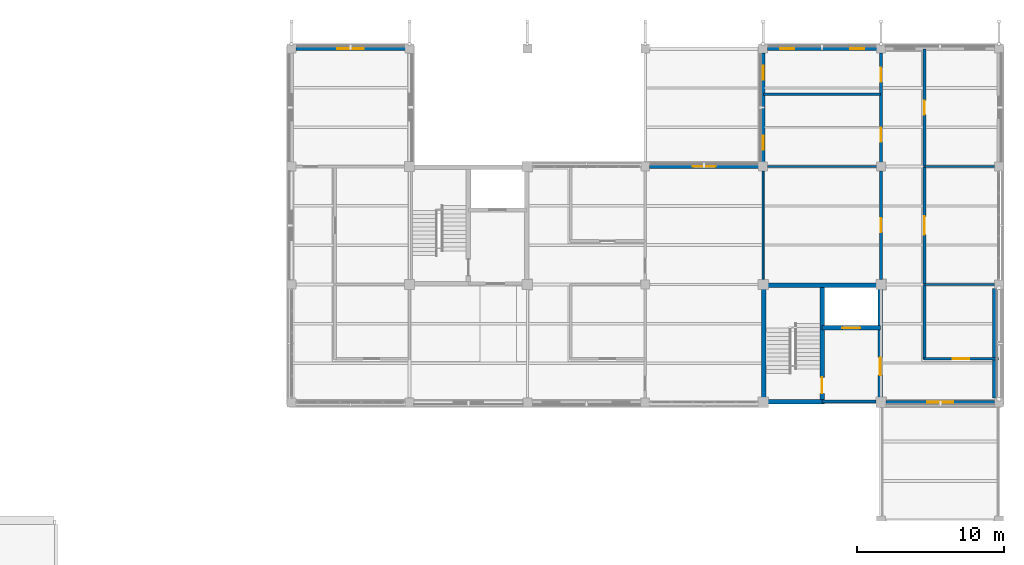
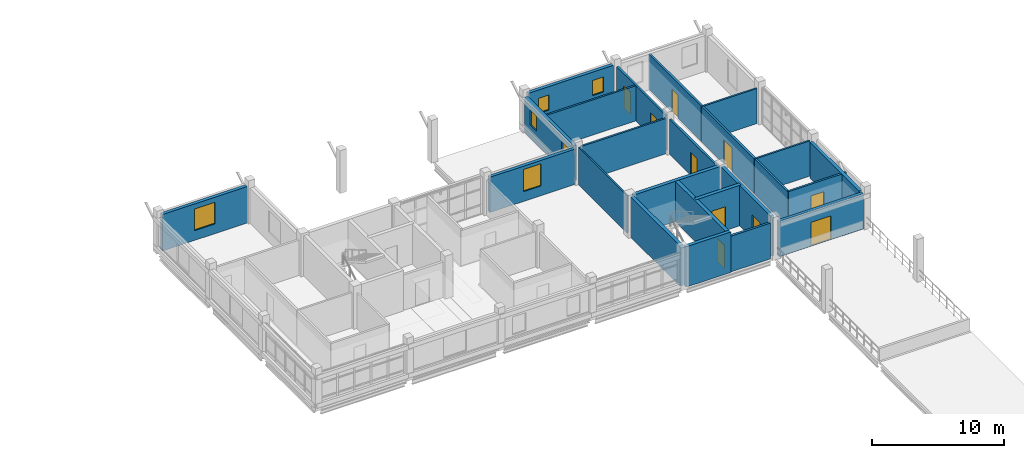
# One storey, part 27 of 35: 24 walls, 10 doors, 6 windows, 16 openings.
"""IFC4 building model written with IfcOpenShell, lengths in metres."""

from ifc_helpers import new_model, si_unit, derived_unit, direction, frame, frame_2d, origin, place, context, subcontext, project, spatial, rectangle, extrude, material, layer, layer_set, type_object, element, fill, save


model = new_model("IFC4")

# Units and contexts
model_context = context("Model", 3, precision=1e-05, world=origin(), true_north=direction((0.0, 1.0)))
body_context = subcontext(model_context, "Body", "Model", "MODEL_VIEW")
ifc_project = project(units=[si_unit("LENGTHUNIT", "METRE"), si_unit("AREAUNIT", "SQUARE_METRE"), si_unit("VOLUMEUNIT", "CUBIC_METRE"), si_unit("PLANEANGLEUNIT", "RADIAN"), si_unit("MASSUNIT", "GRAM", prefix="KILO"), derived_unit("THERMALTRANSMITTANCEUNIT", [(si_unit("MASSUNIT", "GRAM", prefix="KILO"), 1), (si_unit("TIMEUNIT", "SECOND"), -3), (si_unit("THERMODYNAMICTEMPERATUREUNIT", "KELVIN"), -1)])], contexts=[model_context])

# Site, building, storey
site_placement = place(None, origin())
site = spatial("IfcSite", under=ifc_project, at=site_placement, CompositionType="ELEMENT")
building_placement = place(site_placement, origin())
building = spatial("IfcBuilding", under=site, at=building_placement, Name="Veyamyaing Civic Hall", CompositionType="ELEMENT")
storey_placement = place(building_placement, frame((0.0, 0.0, 21.780029296875)))
storey = spatial("IfcBuildingStorey", under=building, at=storey_placement, Name="L05", CompositionType="ELEMENT", Elevation=21.780029296875)

# Wall, opening, window
ifc_material_1 = material(Name="Precast concrete C40/50", Category="concrete")
ifc_layer_1 = layer(ifc_material_1, 0.280029296875, Name="Precast concrete C40/50")
ifc_layer_set_1 = layer_set([ifc_layer_1], Name="Precast concrete C40/50")
wall_type_1 = type_object("IfcWallType", Name="WT-04", PredefinedType="SOLIDWALL", material=ifc_layer_set_1)
wall_1_placement = place(storey_placement, frame((128.284912109375, 112.0, 0.0), z_axis=(0.0, 0.0, 1.0), x_axis=(1.0, 0.0, 0.0)))
wall_1 = element("IfcWall", 1, at=wall_1_placement, inside=storey, type_object=wall_type_1, Name="Exterior facade wall WT-04 L05 N 17.14", PredefinedType="SOLIDWALL", context=body_context, shape_type="SweptSolid", body=[
    extrude(rectangle(XDim=7.43017578125, YDim=0.280029296875, at=frame_2d((3.715087890625, 0.0))), origin(), (0.0, 0.0, 1.0), 3.3720703125),
])
opening_1_placement = place(wall_1_placement, frame((2.81494140625, 0.0, 0.89990234375)))
opening_1 = element("IfcOpeningElement", 2, at=opening_1_placement, cuts=wall_1, Name="Opening W-10", PredefinedType="OPENING", context=body_context, shape_type="SweptSolid", body=[
    extrude(rectangle(XDim=1.800048828125, YDim=2.0, at=frame_2d((0.89990234375, 1.0))), frame((0.0, 0.14990234375, 0.0), z_axis=(0.0, -1.0, 0.0), x_axis=(1.0, 0.0, 0.0)), (0.0, 0.0, 1.0), 0.300048828125),
])
ifc_material_2 = material(Name="Low-E insulated glass", Category="glass")
window_type_1 = type_object("IfcWindowType", Name="W-10", PartitioningType="SINGLE_PANEL", PredefinedType="WINDOW", material=ifc_material_2)
window_1_placement = place(opening_1_placement, origin())
window_1 = element("IfcWindow", 3, at=window_1_placement, inside=storey, type_object=window_type_1, Name="Facade window W-10 L05 N 17.14", OverallHeight=2.0, OverallWidth=1.800048828125, PartitioningType="SINGLE_PANEL", PredefinedType="WINDOW", context=body_context, shape_type="SweptSolid", body=[
    extrude(rectangle(XDim=1.800048828125, YDim=2.0, at=frame_2d((0.89990234375, 1.0))), frame((0.0, 0.030029296875, 0.0), z_axis=(0.0, -1.0, 0.0), x_axis=(1.0, 0.0, 0.0)), (0.0, 0.0, 1.0), 0.06005859375),
])
fill(opening_1, window_1)

wall_2_placement = place(storey_placement, frame((152.284912109375, 104.0, 0.0), z_axis=(0.0, 0.0, 1.0), x_axis=(1.0, 0.0, 0.0)))
wall_2 = element("IfcWall", 4, at=wall_2_placement, inside=storey, type_object=wall_type_1, Name="Exterior facade wall WT-04 L05 N 20.13", PredefinedType="SOLIDWALL", context=body_context, shape_type="SweptSolid", body=[
    extrude(rectangle(XDim=7.43017578125, YDim=0.280029296875, at=frame_2d((3.715087890625, 0.0))), origin(), (0.0, 0.0, 1.0), 3.263916015625),
])
opening_2_placement = place(wall_2_placement, frame((2.93994140625, 0.0, 0.89990234375)))
opening_2 = element("IfcOpeningElement", 5, at=opening_2_placement, cuts=wall_2, Name="Opening W-30", PredefinedType="OPENING", context=body_context, shape_type="SweptSolid", body=[
    extrude(rectangle(XDim=1.550048828125, YDim=2.050048828125, at=frame_2d((0.77490234375, 1.02490234375))), frame((0.0, 0.14990234375, 0.0), z_axis=(0.0, -1.0, 0.0), x_axis=(1.0, 0.0, 0.0)), (0.0, 0.0, 1.0), 0.300048828125),
])
window_type_2 = type_object("IfcWindowType", Name="W-30", PartitioningType="SINGLE_PANEL", PredefinedType="WINDOW", material=ifc_material_2)
window_2_placement = place(opening_2_placement, origin())
window_2 = element("IfcWindow", 6, at=window_2_placement, inside=storey, type_object=window_type_2, Name="Facade window W-30 L05 N 20.13", OverallHeight=2.050048828125, OverallWidth=1.550048828125, PartitioningType="SINGLE_PANEL", PredefinedType="WINDOW", context=body_context, shape_type="SweptSolid", body=[
    extrude(rectangle(XDim=1.550048828125, YDim=2.050048828125, at=frame_2d((0.77490234375, 1.02490234375))), frame((0.0, 0.030029296875, 0.0), z_axis=(0.0, -1.0, 0.0), x_axis=(1.0, 0.0, 0.0)), (0.0, 0.0, 1.0), 0.06005859375),
])
fill(opening_2, window_2)

# Wall, openings, windows
wall_3_placement = place(storey_placement, frame((160.284912109375, 112.0, 0.0), z_axis=(0.0, 0.0, 1.0), x_axis=(1.0, 0.0, 0.0)))
wall_3 = element("IfcWall", 7, at=wall_3_placement, inside=storey, type_object=wall_type_1, Name="Exterior facade wall WT-04 L05 N 21.14", PredefinedType="SOLIDWALL", context=body_context, shape_type="SweptSolid", body=[
    extrude(rectangle(XDim=7.43017578125, YDim=0.280029296875, at=frame_2d((3.715087890625, 0.0))), origin(), (0.0, 0.0, 1.0), 3.3720703125),
])
opening_3_placement = place(wall_3_placement, frame((0.8623046875, 0.0, 1.199951171875)))
opening_3 = element("IfcOpeningElement", 8, at=opening_3_placement, cuts=wall_3, Name="Opening W-20", PredefinedType="OPENING", context=body_context, shape_type="SweptSolid", body=[
    extrude(rectangle(XDim=0.949951171875, YDim=1.39990234375, at=frame_2d((0.47509765625, 0.699951171875))), frame((0.0, 0.14990234375, 0.0), z_axis=(0.0, -1.0, 0.0), x_axis=(1.0, 0.0, 0.0)), (0.0, 0.0, 1.0), 0.300048828125),
])
opening_4_placement = place(wall_3_placement, frame((5.61767578125, 0.0, 1.199951171875)))
opening_4 = element("IfcOpeningElement", 9, at=opening_4_placement, cuts=wall_3, Name="Opening W-20", PredefinedType="OPENING", context=body_context, shape_type="SweptSolid", body=[
    extrude(rectangle(XDim=0.949951171875, YDim=1.39990234375, at=frame_2d((0.47509765625, 0.699951171875))), frame((0.0, 0.14990234375, 0.0), z_axis=(0.0, -1.0, 0.0), x_axis=(1.0, 0.0, 0.0)), (0.0, 0.0, 1.0), 0.300048828125),
])
window_type_3 = type_object("IfcWindowType", Name="W-20", PartitioningType="SINGLE_PANEL", PredefinedType="WINDOW", material=ifc_material_2)
window_3_placement = place(opening_3_placement, origin())
window_3 = element("IfcWindow", 10, at=window_3_placement, inside=storey, type_object=window_type_3, Name="Facade window W-20 L05 N 21.14.1", OverallHeight=1.39990234375, OverallWidth=0.949951171875, PartitioningType="SINGLE_PANEL", PredefinedType="WINDOW", context=body_context, shape_type="SweptSolid", body=[
    extrude(rectangle(XDim=0.949951171875, YDim=1.39990234375, at=frame_2d((0.47509765625, 0.699951171875))), frame((0.0, 0.030029296875, 0.0), z_axis=(0.0, -1.0, 0.0), x_axis=(1.0, 0.0, 0.0)), (0.0, 0.0, 1.0), 0.06005859375),
])
fill(opening_3, window_3)
window_4_placement = place(opening_4_placement, origin())
window_4 = element("IfcWindow", 11, at=window_4_placement, inside=storey, type_object=window_type_3, Name="Facade window W-20 L05 N 21.14.2", OverallHeight=1.39990234375, OverallWidth=0.949951171875, PartitioningType="SINGLE_PANEL", PredefinedType="WINDOW", context=body_context, shape_type="SweptSolid", body=[
    extrude(rectangle(XDim=0.949951171875, YDim=1.39990234375, at=frame_2d((0.47509765625, 0.699951171875))), frame((0.0, 0.030029296875, 0.0), z_axis=(0.0, -1.0, 0.0), x_axis=(1.0, 0.0, 0.0)), (0.0, 0.0, 1.0), 0.06005859375),
])
fill(opening_4, window_4)

wall_4_placement = place(storey_placement, frame((160.0, 104.284912109375, 0.0), z_axis=(0.0, 0.0, 1.0), x_axis=(0.0, 1.0, 0.0)))
wall_4 = element("IfcWall", 12, at=wall_4_placement, inside=storey, type_object=wall_type_1, Name="Exterior facade wall WT-04 L05 W 21.14", PredefinedType="SOLIDWALL", context=body_context, shape_type="SweptSolid", body=[
    extrude(rectangle(XDim=7.43017578125, YDim=0.280029296875, at=frame_2d((3.715087890625, 0.0))), origin(), (0.0, 0.0, 1.0), 3.259033203125),
])
opening_5_placement = place(wall_4_placement, frame((0.8623046875, 0.0, 1.199951171875)))
opening_5 = element("IfcOpeningElement", 13, at=opening_5_placement, cuts=wall_4, Name="Opening W-20", PredefinedType="OPENING", context=body_context, shape_type="SweptSolid", body=[
    extrude(rectangle(XDim=0.949951171875, YDim=1.39990234375, at=frame_2d((0.47509765625, 0.699951171875))), frame((0.0, 0.14990234375, 0.0), z_axis=(0.0, -1.0, 0.0), x_axis=(1.0, 0.0, 0.0)), (0.0, 0.0, 1.0), 0.300048828125),
])
opening_6_placement = place(wall_4_placement, frame((5.61767578125, 0.0, 1.199951171875)))
opening_6 = element("IfcOpeningElement", 14, at=opening_6_placement, cuts=wall_4, Name="Opening W-20", PredefinedType="OPENING", context=body_context, shape_type="SweptSolid", body=[
    extrude(rectangle(XDim=0.949951171875, YDim=1.39990234375, at=frame_2d((0.47509765625, 0.699951171875))), frame((0.0, 0.14990234375, 0.0), z_axis=(0.0, -1.0, 0.0), x_axis=(1.0, 0.0, 0.0)), (0.0, 0.0, 1.0), 0.300048828125),
])
window_5_placement = place(opening_5_placement, origin())
window_5 = element("IfcWindow", 15, at=window_5_placement, inside=storey, type_object=window_type_3, Name="Facade window W-20 L05 W 21.14.1", OverallHeight=1.39990234375, OverallWidth=0.949951171875, PartitioningType="SINGLE_PANEL", PredefinedType="WINDOW", context=body_context, shape_type="SweptSolid", body=[
    extrude(rectangle(XDim=0.949951171875, YDim=1.39990234375, at=frame_2d((0.47509765625, 0.699951171875))), frame((0.0, 0.030029296875, 0.0), z_axis=(0.0, -1.0, 0.0), x_axis=(1.0, 0.0, 0.0)), (0.0, 0.0, 1.0), 0.06005859375),
])
fill(opening_5, window_5)
window_6_placement = place(opening_6_placement, origin())
window_6 = element("IfcWindow", 16, at=window_6_placement, inside=storey, type_object=window_type_3, Name="Facade window W-20 L05 W 21.14.2", OverallHeight=1.39990234375, OverallWidth=0.949951171875, PartitioningType="SINGLE_PANEL", PredefinedType="WINDOW", context=body_context, shape_type="SweptSolid", body=[
    extrude(rectangle(XDim=0.949951171875, YDim=1.39990234375, at=frame_2d((0.47509765625, 0.699951171875))), frame((0.0, 0.030029296875, 0.0), z_axis=(0.0, -1.0, 0.0), x_axis=(1.0, 0.0, 0.0)), (0.0, 0.0, 1.0), 0.06005859375),
])
fill(opening_6, window_6)

# Wall, opening, door
wall_5_placement = place(storey_placement, frame((168.3349609375, 88.0, 0.0), z_axis=(0.0, 0.0, 1.0), x_axis=(1.0, 0.0, 0.0)))
wall_5 = element("IfcWall", 17, at=wall_5_placement, inside=storey, type_object=wall_type_1, Name="Exterior facade wall WT-04 L05 S 22.12", PredefinedType="SOLIDWALL", context=body_context, shape_type="SweptSolid", body=[
    extrude(rectangle(XDim=7.380126953125, YDim=0.280029296875, at=frame_2d((3.68994140625, 0.0))), origin(), (0.0, 0.0, 1.0), 3.259033203125),
])
opening_7_placement = place(wall_5_placement, frame((2.81494140625, 0.0, 0.0)))
opening_7 = element("IfcOpeningElement", 18, at=opening_7_placement, cuts=wall_5, Name="Opening D-22", PredefinedType="OPENING", context=body_context, shape_type="SweptSolid", body=[
    extrude(rectangle(XDim=1.75, YDim=2.199951171875, at=frame_2d((0.875, 1.10009765625))), frame((0.0, 0.14990234375, 0.0), z_axis=(0.0, -1.0, 0.0), x_axis=(1.0, 0.0, 0.0)), (0.0, 0.0, 1.0), 0.300048828125),
])
ifc_material_3 = material(Name="Anodised aluminium 6063-T6", Category="aluminium")
door_type_1 = type_object("IfcDoorType", Name="D-22", OperationType="DOUBLE_DOOR_SINGLE_SWING", PredefinedType="DOOR", material=ifc_material_3)
door_1_placement = place(opening_7_placement, frame((1.75, 0.0, 0.0), z_axis=(0.0, 0.0, 1.0), x_axis=(-1.0, 0.0, 0.0)))
door_1 = element("IfcDoor", 19, at=door_1_placement, inside=storey, type_object=door_type_1, Name="Planted roof terrace door D-22 L05 S 22.12", OperationType="DOUBLE_DOOR_SINGLE_SWING", OverallHeight=2.199951171875, OverallWidth=1.75, PredefinedType="DOOR", context=body_context, shape_type="SweptSolid", body=[
    extrude(rectangle(XDim=1.75, YDim=2.199951171875, at=frame_2d((0.875, 1.10009765625))), frame((0.0, 0.02490234375, 0.0), z_axis=(0.0, -1.0, 0.0), x_axis=(1.0, 0.0, 0.0)), (0.0, 0.0, 1.0), 0.050048828125),
])
fill(opening_7, door_1)

# Walls
wall_6_placement = place(storey_placement, frame((175.699951171875, 88.284912109375, 0.0), z_axis=(0.0, 0.0, 1.0), x_axis=(0.0, 1.0, 0.0)))
element("IfcWall", 20, at=wall_6_placement, inside=storey, type_object=wall_type_1, Name="Exterior facade wall WT-04 L05 E 22.12", PredefinedType="SOLIDWALL", context=body_context, shape_type="SweptSolid", body=[
    extrude(rectangle(XDim=7.43017578125, YDim=0.280029296875, at=frame_2d((3.715087890625, 0.0))), origin(), (0.0, 0.0, 1.0), 3.30908203125),
])
ifc_material_4 = material(Name="Concrete C40/50", Category="concrete")
ifc_layer_2 = layer(ifc_material_4, 0.300048828125, Name="Concrete C40/50")
ifc_layer_set_2 = layer_set([ifc_layer_2], Name="Concrete C40/50")
wall_type_2 = type_object("IfcWallType", Name="WT-05", PredefinedType="SHEAR", material=ifc_layer_set_2)
for number, where, z_axis, x_axis, name in (
    (21, (160.050048828125, 88.239990234375, 0.0), (0.0, 0.0, 1.0), (0.0, 1.0, 0.0), "Core shear wall WT-05 CORE-3 L05.W"),
    (22, (160.239990234375, 95.949951171875, 0.0), (0.0, 0.0, 1.0), (1.0, 0.0, 0.0), "Core shear wall WT-05 CORE-3 L05.N"),
):
    element("IfcWall", number, at=place(storey_placement, frame(where, z_axis=z_axis, x_axis=x_axis)), inside=storey, type_object=wall_type_2, Name=name, PredefinedType="SHEAR", context=body_context, shape_type="SweptSolid", body=[
        extrude(rectangle(XDim=7.52001953125, YDim=0.300048828125, at=frame_2d((3.760009765625, 0.0))), origin(), (0.0, 0.0, 1.0), 3.73486328125),
    ])

# Wall, opening, door
wall_7_placement = place(storey_placement, frame((167.949951171875, 88.239990234375, 0.0), z_axis=(0.0, 0.0, 1.0), x_axis=(0.0, 1.0, 0.0)))
wall_7 = element("IfcWall", 23, at=wall_7_placement, inside=storey, type_object=wall_type_2, Name="Core shear wall WT-05 CORE-3 L05.E", PredefinedType="SHEAR", context=body_context, shape_type="SweptSolid", body=[
    extrude(rectangle(XDim=7.52001953125, YDim=0.300048828125, at=frame_2d((3.760009765625, 0.0))), origin(), (0.0, 0.0, 1.0), 3.73486328125),
])
opening_8_placement = place(wall_7_placement, frame((1.60009765625, 0.0, 0.0)))
opening_8 = element("IfcOpeningElement", 24, at=opening_8_placement, cuts=wall_7, Name="Opening D-04", PredefinedType="OPENING", context=body_context, shape_type="SweptSolid", body=[
    extrude(rectangle(XDim=1.199951171875, YDim=2.14990234375, at=frame_2d((0.60009765625, 1.074951171875))), frame((0.0, 0.159912109375, 0.0), z_axis=(0.0, -1.0, 0.0), x_axis=(1.0, 0.0, 0.0)), (0.0, 0.0, 1.0), 0.320068359375),
])
ifc_material_5 = material(Name="Galvanized steel S355J2", Category="steel")
door_type_2 = type_object("IfcDoorType", Name="D-04", OperationType="NOTDEFINED", PredefinedType="DOOR", material=ifc_material_5)
door_2_placement = place(opening_8_placement, frame((1.199951171875, 0.0, 0.0), z_axis=(0.0, 0.0, 1.0), x_axis=(-1.0, 0.0, 0.0)))
door_2 = element("IfcDoor", 25, at=door_2_placement, inside=storey, type_object=door_type_2, Name="Protected lobby fire door D-04 CORE-3 L05", OperationType="SINGLE_SWING_RIGHT", OverallHeight=2.14990234375, OverallWidth=1.199951171875, PredefinedType="DOOR", context=body_context, shape_type="SweptSolid", body=[
    extrude(rectangle(XDim=1.199951171875, YDim=2.14990234375, at=frame_2d((0.60009765625, 1.074951171875))), frame((0.0, 0.02490234375, 0.0), z_axis=(0.0, -1.0, 0.0), x_axis=(1.0, 0.0, 0.0)), (0.0, 0.0, 1.0), 0.050048828125),
])
fill(opening_8, door_2)

# Wall
wall_8_placement = place(storey_placement, frame((160.239990234375, 88.050048828125, 0.0), z_axis=(0.0, 0.0, 1.0), x_axis=(1.0, 0.0, 0.0)))
element("IfcWall", 26, at=wall_8_placement, inside=storey, type_object=wall_type_2, Name="Core shear wall WT-05 CORE-3 L05.SS", PredefinedType="SHEAR", context=body_context, shape_type="SweptSolid", body=[
    extrude(rectangle(XDim=3.909912109375, YDim=0.300048828125, at=frame_2d((1.955078125, 0.0))), origin(), (0.0, 0.0, 1.0), 3.73486328125),
])

# Wall, opening, door
wall_9_placement = place(storey_placement, frame((164.0, 88.050048828125, 0.0), z_axis=(0.0, 0.0, 1.0), x_axis=(0.0, 1.0, 0.0)))
wall_9 = element("IfcWall", 27, at=wall_9_placement, inside=storey, type_object=wall_type_2, Name="Core shear wall WT-05 CORE-3 L05.MID", PredefinedType="SHEAR", context=body_context, shape_type="SweptSolid", body=[
    extrude(rectangle(XDim=7.89990234375, YDim=0.300048828125, at=frame_2d((3.949951171875, 0.0))), origin(), (0.0, 0.0, 1.0), 3.73486328125),
])
opening_9_placement = place(wall_9_placement, frame((0.550048828125, 0.0, 0.0)))
opening_9 = element("IfcOpeningElement", 28, at=opening_9_placement, cuts=wall_9, Name="Opening D-03", PredefinedType="OPENING", context=body_context, shape_type="SweptSolid", body=[
    extrude(rectangle(XDim=1.10009765625, YDim=2.14990234375, at=frame_2d((0.550048828125, 1.074951171875))), frame((0.0, 0.159912109375, 0.0), z_axis=(0.0, -1.0, 0.0), x_axis=(1.0, 0.0, 0.0)), (0.0, 0.0, 1.0), 0.320068359375),
])
door_type_3 = type_object("IfcDoorType", Name="D-03", OperationType="NOTDEFINED", PredefinedType="DOOR", material=ifc_material_5)
door_3_placement = place(opening_9_placement, origin())
door_3 = element("IfcDoor", 29, at=door_3_placement, inside=storey, type_object=door_type_3, Name="Exit stair fire door D-03 ST-03 L05", OperationType="SINGLE_SWING_LEFT", OverallHeight=2.14990234375, OverallWidth=1.10009765625, PredefinedType="DOOR", context=body_context, shape_type="SweptSolid", body=[
    extrude(rectangle(XDim=1.10009765625, YDim=2.14990234375, at=frame_2d((0.550048828125, 1.074951171875))), frame((0.0, 0.02490234375, 0.0), z_axis=(0.0, -1.0, 0.0), x_axis=(1.0, 0.0, 0.0)), (0.0, 0.0, 1.0), 0.050048828125),
])
fill(opening_9, door_3)

wall_10_placement = place(storey_placement, frame((164.0, 93.050048828125, 0.0), z_axis=(0.0, 0.0, 1.0), x_axis=(1.0, 0.0, 0.0)))
wall_10 = element("IfcWall", 30, at=wall_10_placement, inside=storey, type_object=wall_type_2, Name="Core shear wall WT-05 CORE-3 L05.LFT", PredefinedType="SHEAR", context=body_context, shape_type="SweptSolid", body=[
    extrude(rectangle(XDim=3.949951171875, YDim=0.300048828125, at=frame_2d((1.97509765625, 0.0))), origin(), (0.0, 0.0, 1.0), 3.73486328125),
])
opening_10_placement = place(wall_10_placement, frame((1.375, 0.0, 0.0)))
opening_10 = element("IfcOpeningElement", 31, at=opening_10_placement, cuts=wall_10, Name="Opening LD-02", PredefinedType="OPENING", context=body_context, shape_type="SweptSolid", body=[
    extrude(rectangle(XDim=1.199951171875, YDim=2.199951171875, at=frame_2d((0.60009765625, 1.10009765625))), frame((0.0, 0.159912109375, 0.0), z_axis=(0.0, -1.0, 0.0), x_axis=(1.0, 0.0, 0.0)), (0.0, 0.0, 1.0), 0.320068359375),
])
door_type_4 = type_object("IfcDoorType", Name="LD-02", OperationType="SLIDING_TO_LEFT", PredefinedType="DOOR", material=ifc_material_5)
door_4_placement = place(opening_10_placement, origin())
door_4 = element("IfcDoor", 32, at=door_4_placement, inside=storey, type_object=door_type_4, Name="Lift sliding landing door LD-02 FL-02 L05", OperationType="SLIDING_TO_LEFT", OverallHeight=2.199951171875, OverallWidth=1.199951171875, PredefinedType="DOOR", context=body_context, shape_type="SweptSolid", body=[
    extrude(rectangle(XDim=1.199951171875, YDim=2.199951171875, at=frame_2d((0.60009765625, 1.10009765625))), frame((0.0, 0.02490234375, 0.0), z_axis=(0.0, -1.0, 0.0), x_axis=(1.0, 0.0, 0.0)), (0.0, 0.0, 1.0), 0.050048828125),
])
fill(opening_10, door_4)

# Wall
ifc_layer_3 = layer(ifc_material_4, 0.199951171875, Name="Concrete C40/50")
ifc_layer_set_3 = layer_set([ifc_layer_3], Name="Concrete C40/50")
wall_type_3 = type_object("IfcWallType", Name="WT-06", PredefinedType="PARTITIONING", material=ifc_layer_set_3)
wall_11_placement = place(storey_placement, frame((164.0, 88.050048828125, 0.0), z_axis=(0.0, 0.0, 1.0), x_axis=(1.0, 0.0, 0.0)))
element("IfcWall", 33, at=wall_11_placement, inside=storey, type_object=wall_type_3, Name="Firefighting lift lobby wall WT-06 CORE-3 L05", PredefinedType="PARTITIONING", context=body_context, shape_type="SweptSolid", body=[
    extrude(rectangle(XDim=3.659912109375, YDim=0.199951171875, at=frame_2d((1.830078125, 0.0))), origin(), (0.0, 0.0, 1.0), 3.302978515625),
])

# Wall, opening, door
ifc_material_6 = material(Name="Gypsum board on acoustic steel stud", Category="steel")
ifc_layer_4 = layer(ifc_material_6, 0.175048828125, Name="Gypsum board on acoustic steel stud")
ifc_layer_set_4 = layer_set([ifc_layer_4], Name="Gypsum board on acoustic steel stud")
wall_type_4 = type_object("IfcWallType", Name="WT-07", PredefinedType="PARTITIONING", material=ifc_layer_set_4)
wall_12_placement = place(storey_placement, frame((170.89990234375, 90.949951171875, 0.0), z_axis=(0.0, 0.0, 1.0), x_axis=(1.0, 0.0, 0.0)))
wall_12 = element("IfcWall", 34, at=wall_12_placement, inside=storey, type_object=wall_type_4, Name="Corridor gallery partition WT-07 L05.11.1", PredefinedType="PARTITIONING", context=body_context, shape_type="SweptSolid", body=[
    extrude(rectangle(XDim=5.080078125, YDim=0.175048828125, at=frame_2d((2.5400390625, 0.0))), origin(), (0.0, 0.0, 1.0), 3.302001953125),
])
opening_11_placement = place(wall_12_placement, frame((1.97998046875, 0.0, 0.0)))
opening_11 = element("IfcOpeningElement", 35, at=opening_11_placement, cuts=wall_12, Name="Opening D-26", PredefinedType="OPENING", context=body_context, shape_type="SweptSolid", body=[
    extrude(rectangle(XDim=1.1201171875, YDim=2.219970703125, at=frame_2d((0.56005859375, 1.10986328125))), frame((0.0, 0.097412109375, 0.0), z_axis=(0.0, -1.0, 0.0), x_axis=(1.0, 0.0, 0.0)), (0.0, 0.0, 1.0), 0.195068359375),
])
ifc_material_7 = material(Name="Teak-veneered acoustic timber", Category="wood")
door_type_5 = type_object("IfcDoorType", Name="D-26", OperationType="NOTDEFINED", PredefinedType="DOOR", material=ifc_material_7)
door_5_placement = place(opening_11_placement, origin())
door_5 = element("IfcDoor", 36, at=door_5_placement, inside=storey, type_object=door_type_5, Name="Gallery office door D-26 L05.11", OperationType="SINGLE_SWING_LEFT", OverallHeight=2.219970703125, OverallWidth=1.1201171875, PredefinedType="DOOR", context=body_context, shape_type="SweptSolid", body=[
    extrude(rectangle(XDim=1.1201171875, YDim=2.219970703125, at=frame_2d((0.56005859375, 1.10986328125))), frame((0.0, 0.02490234375, 0.0), z_axis=(0.0, -1.0, 0.0), x_axis=(1.0, 0.0, 0.0)), (0.0, 0.0, 1.0), 0.050048828125),
])
fill(opening_11, door_5)

# Wall
wall_13_placement = place(storey_placement, frame((170.949951171875, 90.89990234375, 0.0), z_axis=(0.0, 0.0, 1.0), x_axis=(0.0, 1.0, 0.0)))
element("IfcWall", 37, at=wall_13_placement, inside=storey, type_object=wall_type_4, Name="Corridor gallery partition WT-07 L05.11.2", PredefinedType="PARTITIONING", context=body_context, shape_type="SweptSolid", body=[
    extrude(rectangle(XDim=5.080078125, YDim=0.175048828125, at=frame_2d((2.5400390625, 0.0))), origin(), (0.0, 0.0, 1.0), 3.258056640625),
])

# Wall, opening, door
wall_14_placement = place(storey_placement, frame((170.949951171875, 104.02001953125, 0.0), z_axis=(0.0, 0.0, 1.0), x_axis=(0.0, 1.0, 0.0)))
wall_14 = element("IfcWall", 38, at=wall_14_placement, inside=storey, type_object=wall_type_4, Name="Corridor gallery partition WT-07 L05.13.1", PredefinedType="PARTITIONING", context=body_context, shape_type="SweptSolid", body=[
    extrude(rectangle(XDim=7.9599609375, YDim=0.175048828125, at=frame_2d((3.97998046875, 0.0))), origin(), (0.0, 0.0, 1.0), 3.245849609375),
])
opening_12_placement = place(wall_14_placement, frame((3.510009765625, 0.0, 0.0)))
opening_12 = element("IfcOpeningElement", 39, at=opening_12_placement, cuts=wall_14, Name="Opening D-30", PredefinedType="OPENING", context=body_context, shape_type="SweptSolid", body=[
    extrude(rectangle(XDim=0.93994140625, YDim=2.1201171875, at=frame_2d((0.469970703125, 1.06005859375))), frame((0.0, 0.097412109375, 0.0), z_axis=(0.0, -1.0, 0.0), x_axis=(1.0, 0.0, 0.0)), (0.0, 0.0, 1.0), 0.195068359375),
])
door_type_6 = type_object("IfcDoorType", Name="D-30", OperationType="NOTDEFINED", PredefinedType="DOOR", material=ifc_material_7)
door_6_placement = place(opening_12_placement, frame((0.93994140625, 0.0, 0.0), z_axis=(0.0, 0.0, 1.0), x_axis=(-1.0, 0.0, 0.0)))
door_6 = element("IfcDoor", 40, at=door_6_placement, inside=storey, type_object=door_type_6, Name="Gallery office door D-30 L05.13", OperationType="SINGLE_SWING_LEFT", OverallHeight=2.1201171875, OverallWidth=0.93994140625, PredefinedType="DOOR", context=body_context, shape_type="SweptSolid", body=[
    extrude(rectangle(XDim=0.93994140625, YDim=2.1201171875, at=frame_2d((0.469970703125, 1.06005859375))), frame((0.0, 0.02490234375, 0.0), z_axis=(0.0, -1.0, 0.0), x_axis=(1.0, 0.0, 0.0)), (0.0, 0.0, 1.0), 0.050048828125),
])
fill(opening_12, door_6)

wall_15_placement = place(storey_placement, frame((168.0, 96.340087890625, 0.0), z_axis=(0.0, 0.0, 1.0), x_axis=(0.0, 1.0, 0.0)))
wall_15 = element("IfcWall", 41, at=wall_15_placement, inside=storey, type_object=wall_type_4, Name="Interior partition wall WT-07 L05.13", PredefinedType="PARTITIONING", context=body_context, shape_type="SweptSolid", body=[
    extrude(rectangle(XDim=7.369873046875, YDim=0.175048828125, at=frame_2d((3.68505859375, 0.0))), origin(), (0.0, 0.0, 1.0), 3.257080078125),
])
opening_13_placement = place(wall_15_placement, frame((3.215087890625, 0.0, 0.0)))
opening_13 = element("IfcOpeningElement", 42, at=opening_13_placement, cuts=wall_15, Name="Opening D-30", PredefinedType="OPENING", context=body_context, shape_type="SweptSolid", body=[
    extrude(rectangle(XDim=0.93994140625, YDim=2.1201171875, at=frame_2d((0.469970703125, 1.06005859375))), frame((0.0, 0.097412109375, 0.0), z_axis=(0.0, -1.0, 0.0), x_axis=(1.0, 0.0, 0.0)), (0.0, 0.0, 1.0), 0.195068359375),
])
door_7_placement = place(opening_13_placement, origin())
door_7 = element("IfcDoor", 43, at=door_7_placement, inside=storey, type_object=door_type_6, Name="Interior door D-30 L05.13", OperationType="SINGLE_SWING_LEFT", OverallHeight=2.1201171875, OverallWidth=0.93994140625, PredefinedType="DOOR", context=body_context, shape_type="SweptSolid", body=[
    extrude(rectangle(XDim=0.93994140625, YDim=2.1201171875, at=frame_2d((0.469970703125, 1.06005859375))), frame((0.0, 0.02490234375, 0.0), z_axis=(0.0, -1.0, 0.0), x_axis=(1.0, 0.0, 0.0)), (0.0, 0.0, 1.0), 0.050048828125),
])
fill(opening_13, door_7)

# Wall, openings, doors
wall_16_placement = place(storey_placement, frame((168.0, 104.2900390625, 0.0), z_axis=(0.0, 0.0, 1.0), x_axis=(0.0, 1.0, 0.0)))
wall_16 = element("IfcWall", 44, at=wall_16_placement, inside=storey, type_object=wall_type_4, Name="Interior partition wall WT-07 L05.15", PredefinedType="PARTITIONING", context=body_context, shape_type="SweptSolid", body=[
    extrude(rectangle(XDim=7.419921875, YDim=0.175048828125, at=frame_2d((3.7099609375, 0.0))), origin(), (0.0, 0.0, 1.0), 3.258056640625),
])
opening_14_placement = place(wall_16_placement, frame((1.3798828125, 0.0, 0.0)))
opening_14 = element("IfcOpeningElement", 45, at=opening_14_placement, cuts=wall_16, Name="Opening D-15", PredefinedType="OPENING", context=body_context, shape_type="SweptSolid", body=[
    extrude(rectangle(XDim=0.949951171875, YDim=2.10009765625, at=frame_2d((0.47509765625, 1.050048828125))), frame((0.0, 0.097412109375, 0.0), z_axis=(0.0, -1.0, 0.0), x_axis=(1.0, 0.0, 0.0)), (0.0, 0.0, 1.0), 0.195068359375),
])
opening_15_placement = place(wall_16_placement, frame((5.4609375, 0.0, 0.0)))
opening_15 = element("IfcOpeningElement", 46, at=opening_15_placement, cuts=wall_16, Name="Opening D-15", PredefinedType="OPENING", context=body_context, shape_type="SweptSolid", body=[
    extrude(rectangle(XDim=0.949951171875, YDim=2.10009765625, at=frame_2d((0.47509765625, 1.050048828125))), frame((0.0, 0.097412109375, 0.0), z_axis=(0.0, -1.0, 0.0), x_axis=(1.0, 0.0, 0.0)), (0.0, 0.0, 1.0), 0.195068359375),
])
door_type_7 = type_object("IfcDoorType", Name="D-15", OperationType="NOTDEFINED", PredefinedType="DOOR", material=ifc_material_7)
door_8_placement = place(opening_14_placement, origin())
door_8 = element("IfcDoor", 47, at=door_8_placement, inside=storey, type_object=door_type_7, Name="Interior room door D-15 L05.15.1", OperationType="SINGLE_SWING_RIGHT", OverallHeight=2.10009765625, OverallWidth=0.949951171875, PredefinedType="DOOR", context=body_context, shape_type="SweptSolid", body=[
    extrude(rectangle(XDim=0.949951171875, YDim=2.10009765625, at=frame_2d((0.47509765625, 1.050048828125))), frame((0.0, 0.02490234375, 0.0), z_axis=(0.0, -1.0, 0.0), x_axis=(1.0, 0.0, 0.0)), (0.0, 0.0, 1.0), 0.050048828125),
])
fill(opening_14, door_8)
door_9_placement = place(opening_15_placement, origin())
door_9 = element("IfcDoor", 48, at=door_9_placement, inside=storey, type_object=door_type_7, Name="Interior room door D-15 L05.15.2", OperationType="SINGLE_SWING_LEFT", OverallHeight=2.10009765625, OverallWidth=0.949951171875, PredefinedType="DOOR", context=body_context, shape_type="SweptSolid", body=[
    extrude(rectangle(XDim=0.949951171875, YDim=2.10009765625, at=frame_2d((0.47509765625, 1.050048828125))), frame((0.0, 0.02490234375, 0.0), z_axis=(0.0, -1.0, 0.0), x_axis=(1.0, 0.0, 0.0)), (0.0, 0.0, 1.0), 0.050048828125),
])
fill(opening_15, door_9)

# Walls
ifc_material_8 = material(Name="Gypsum board on steel stud", Category="steel")
ifc_layer_5 = layer(ifc_material_8, 0.14990234375, Name="Gypsum board on steel stud")
ifc_layer_set_5 = layer_set([ifc_layer_5], Name="Gypsum board on steel stud")
wall_type_5 = type_object("IfcWallType", Name="WT-08", PredefinedType="PARTITIONING", material=ifc_layer_set_5)
wall_17_placement = place(storey_placement, frame((170.949951171875, 96.0, 0.0), z_axis=(0.0, 0.0, 1.0), x_axis=(1.0, 0.0, 0.0)))
element("IfcWall", 49, at=wall_17_placement, inside=storey, type_object=wall_type_5, Name="Gallery office end partition WT-08 L05.11.1", PredefinedType="PARTITIONING", context=body_context, shape_type="SweptSolid", body=[
    extrude(rectangle(XDim=4.739990234375, YDim=0.14990234375, at=frame_2d((2.3701171875, 0.0))), origin(), (0.0, 0.0, 1.0), 3.258056640625),
])
wall_18_placement = place(storey_placement, frame((170.949951171875, 104.0, 0.0), z_axis=(0.0, 0.0, 1.0), x_axis=(1.0, 0.0, 0.0)))
element("IfcWall", 50, at=wall_18_placement, inside=storey, type_object=wall_type_5, Name="Gallery office end partition WT-08 L05.12.2", PredefinedType="PARTITIONING", context=body_context, shape_type="SweptSolid", body=[
    extrude(rectangle(XDim=4.739990234375, YDim=0.14990234375, at=frame_2d((2.3701171875, 0.0))), origin(), (0.0, 0.0, 1.0), 3.245849609375),
])
ifc_material_9 = material(Name="Cement-board wet-area partition")
ifc_layer_6 = layer(ifc_material_9, 0.159912109375, Name="Cement-board wet-area partition")
ifc_layer_set_6 = layer_set([ifc_layer_6], Name="Cement-board wet-area partition")
wall_type_6 = type_object("IfcWallType", Name="WT-14", PredefinedType="PARTITIONING", material=ifc_layer_set_6)
wall_19_placement = place(storey_placement, frame((160.2900390625, 104.0, 0.0), z_axis=(0.0, 0.0, 1.0), x_axis=(1.0, 0.0, 0.0)))
element("IfcWall", 51, at=wall_19_placement, inside=storey, type_object=wall_type_6, Name="Interior partition wall WT-14 L05.14", PredefinedType="PARTITIONING", context=body_context, shape_type="SweptSolid", body=[
    extrude(rectangle(XDim=7.419921875, YDim=0.159912109375, at=frame_2d((3.7099609375, 0.0))), origin(), (0.0, 0.0, 1.0), 3.262939453125),
])
wall_20_placement = place(storey_placement, frame((160.02001953125, 108.89990234375, 0.0), z_axis=(0.0, 0.0, 1.0), x_axis=(1.0, 0.0, 0.0)))
element("IfcWall", 52, at=wall_20_placement, inside=storey, type_object=wall_type_6, Name="Sub-bay room partition WT-14 L05.1", PredefinedType="PARTITIONING", context=body_context, shape_type="SweptSolid", body=[
    extrude(rectangle(XDim=7.9599609375, YDim=0.159912109375, at=frame_2d((3.97998046875, 0.0))), origin(), (0.0, 0.0, 1.0), 3.251953125),
])
ifc_layer_7 = layer(ifc_material_8, 0.1201171875, Name="Gypsum board on steel stud")
ifc_layer_set_7 = layer_set([ifc_layer_7], Name="Gypsum board on steel stud")
wall_type_7 = type_object("IfcWallType", Name="WT-16", PredefinedType="PARTITIONING", material=ifc_layer_set_7)
wall_21_placement = place(storey_placement, frame((160.0, 96.340087890625, 0.0), z_axis=(0.0, 0.0, 1.0), x_axis=(0.0, 1.0, 0.0)))
element("IfcWall", 53, at=wall_21_placement, inside=storey, type_object=wall_type_7, Name="Interior partition wall WT-16 L05.12", PredefinedType="PARTITIONING", context=body_context, shape_type="SweptSolid", body=[
    extrude(rectangle(XDim=7.369873046875, YDim=0.1201171875, at=frame_2d((3.68505859375, 0.0))), origin(), (0.0, 0.0, 1.0), 3.4619140625),
])

# Wall, opening, door
ifc_material_10 = material(Name="Gypsum board on double acoustic stud")
ifc_layer_8 = layer(ifc_material_10, 0.18505859375, Name="Gypsum board on double acoustic stud")
ifc_layer_set_8 = layer_set([ifc_layer_8], Name="Gypsum board on double acoustic stud")
wall_type_8 = type_object("IfcWallType", Name="WT-19", PredefinedType="PARTITIONING", material=ifc_layer_set_8)
wall_22_placement = place(storey_placement, frame((170.949951171875, 96.02001953125, 0.0), z_axis=(0.0, 0.0, 1.0), x_axis=(0.0, 1.0, 0.0)))
wall_22 = element("IfcWall", 54, at=wall_22_placement, inside=storey, type_object=wall_type_8, Name="Corridor gallery partition WT-19 L05.12.1", PredefinedType="PARTITIONING", context=body_context, shape_type="SweptSolid", body=[
    extrude(rectangle(XDim=7.9599609375, YDim=0.18505859375, at=frame_2d((3.97998046875, 0.0))), origin(), (0.0, 0.0, 1.0), 3.245849609375),
])
opening_16_placement = place(wall_22_placement, frame((3.35498046875, 0.0, 0.0)))
opening_16 = element("IfcOpeningElement", 55, at=opening_16_placement, cuts=wall_22, Name="Opening D-29", PredefinedType="OPENING", context=body_context, shape_type="SweptSolid", body=[
    extrude(rectangle(XDim=1.25, YDim=2.179931640625, at=frame_2d((0.625, 1.08984375))), frame((0.0, 0.1025390625, 0.0), z_axis=(0.0, -1.0, 0.0), x_axis=(1.0, 0.0, 0.0)), (0.0, 0.0, 1.0), 0.205078125),
])
door_type_8 = type_object("IfcDoorType", Name="D-29", OperationType="NOTDEFINED", PredefinedType="DOOR", material=ifc_material_7)
door_10_placement = place(opening_16_placement, frame((1.25, 0.0, 0.0), z_axis=(0.0, 0.0, 1.0), x_axis=(-1.0, 0.0, 0.0)))
door_10 = element("IfcDoor", 56, at=door_10_placement, inside=storey, type_object=door_type_8, Name="Gallery office door D-29 L05.12", OperationType="SINGLE_SWING_RIGHT", OverallHeight=2.179931640625, OverallWidth=1.25, PredefinedType="DOOR", context=body_context, shape_type="SweptSolid", body=[
    extrude(rectangle(XDim=1.25, YDim=2.179931640625, at=frame_2d((0.625, 1.08984375))), frame((0.0, 0.02490234375, 0.0), z_axis=(0.0, -1.0, 0.0), x_axis=(1.0, 0.0, 0.0)), (0.0, 0.0, 1.0), 0.050048828125),
])
fill(opening_16, door_10)

save(model, "model.ifc")
